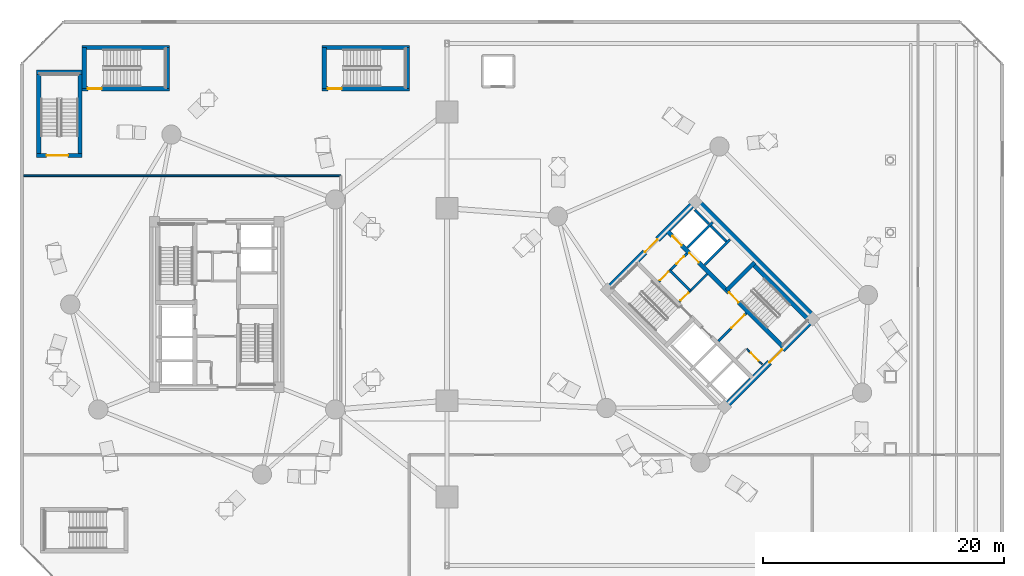
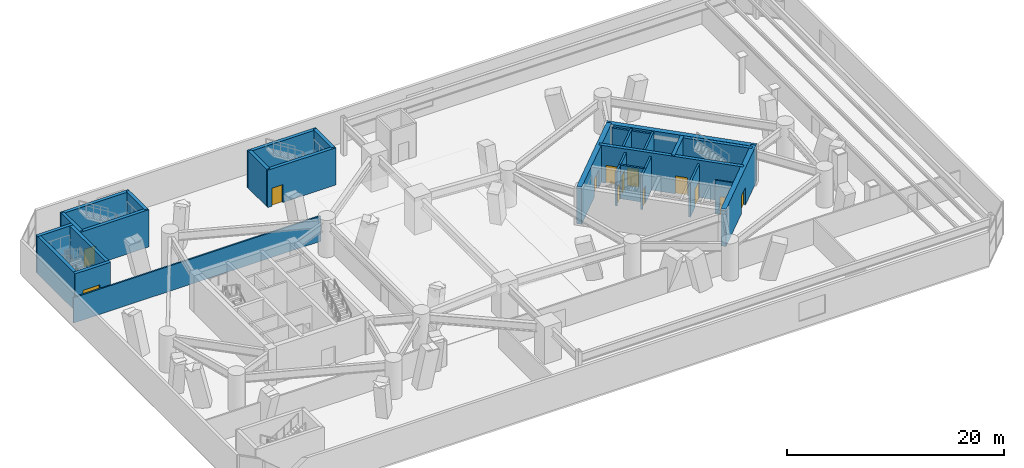
# One storey, part 13 of 20: 28 walls, 13 doors, 13 openings.
"""IFC4 building model written with IfcOpenShell, lengths in metres."""

from ifc_helpers import new_model, si_unit, direction, frame, frame_2d, origin, place, context, subcontext, project, spatial, rectangle, extrude, source, transform, mapped, material, layer, layer_set, type_object, element, fill, save


model = new_model("IFC4")

# Units and contexts
model_context = context("Model", 3, precision=1e-05, world=origin(), true_north=direction((0.0, 1.0)))
body_context = subcontext(model_context, "Body", "Model", "MODEL_VIEW")
ifc_project = project(units=[si_unit("LENGTHUNIT", "METRE"), si_unit("AREAUNIT", "SQUARE_METRE"), si_unit("VOLUMEUNIT", "CUBIC_METRE"), si_unit("PLANEANGLEUNIT", "RADIAN"), si_unit("MASSUNIT", "GRAM", prefix="KILO")], contexts=[model_context])

# Site, building, storey
site_placement = place(None, origin())
site = spatial("IfcSite", under=ifc_project, at=site_placement, CompositionType="ELEMENT")
building_placement = place(site_placement, origin())
building = spatial("IfcBuilding", under=site, at=building_placement, Name="Cununo Teusaquillo Station Towers", CompositionType="ELEMENT")
storey_placement = place(building_placement, frame((0.0, 0.0, 13.199951171875)))
storey = spatial("IfcBuildingStorey", under=building, at=storey_placement, Name="L03", CompositionType="ELEMENT", Elevation=13.199951171875)

# Walls
ifc_material_1 = material(Name="Concrete C50/60", Category="concrete")
ifc_layer_1 = layer(ifc_material_1, 0.199951171875)
ifc_layer_set_1 = layer_set([ifc_layer_1], Name="Concrete C50/60")
wall_type_1 = type_object("IfcWallType", Name="WL-CORE-200", PredefinedType="SHEAR", material=ifc_layer_set_1)
wall_1_placement = place(storey_placement, frame((57.0615234375, 27.781005859375, 0.0), z_axis=(0.0, 0.0, 1.0), x_axis=(0.707106781187, 0.707106781187, 0.0)))
element("IfcWall", 1, at=wall_1_placement, inside=storey, type_object=wall_type_1, Name="L03 Tower B Low-Rise Lift Hoistway South Shear Wall", PredefinedType="SHEAR", context=body_context, shape_type="SweptSolid", body=[
    extrude(rectangle(XDim=2.969970703125, YDim=0.199951171875, at=frame_2d((1.48486328125, 0.0))), origin(), (0.0, 0.0, 1.0), 4.199951171875),
])
wall_2_placement = place(storey_placement, frame((55.615478515625, 29.22705078125, 0.0), z_axis=(0.0, 0.0, 1.0), x_axis=(0.707147878904, 0.70706568108, 0.0)))
element("IfcWall", 2, at=wall_2_placement, inside=storey, type_object=wall_type_1, Name="L03 Tower B Low-Rise Lift Hoistway Divider Shear Wall", PredefinedType="SHEAR", context=body_context, shape_type="SweptSolid", body=[
    extrude(rectangle(XDim=2.97021484375, YDim=0.199951171875, at=frame_2d((1.485107421875, 0.0))), origin(), (0.0, 0.0, 1.0), 4.199951171875),
])
wall_3_placement = place(storey_placement, frame((58.86474609375, 29.75390625, 0.0), z_axis=(0.0, 0.0, 1.0), x_axis=(-0.707174411312, 0.707039144592, 0.0)))
element("IfcWall", 3, at=wall_3_placement, inside=storey, type_object=wall_type_1, Name="L03 Tower B Low-Rise Lift 1 Shaft Rear Shear Wall", PredefinedType="SHEAR", context=body_context, shape_type="SweptSolid", body=[
    extrude(rectangle(XDim=1.804931640625, YDim=0.199951171875, at=frame_2d((0.90234375, 0.0))), origin(), (0.0, 0.0, 1.0), 4.199951171875),
])
wall_4_placement = place(storey_placement, frame((57.418701171875, 31.19970703125, 0.0), z_axis=(0.0, 0.0, 1.0), x_axis=(-0.707032117043, 0.707181437447, 0.0)))
element("IfcWall", 4, at=wall_4_placement, inside=storey, type_object=wall_type_1, Name="L03 Tower B Low-Rise Lift 2 Shaft Rear Shear Wall", PredefinedType="SHEAR", context=body_context, shape_type="SweptSolid", body=[
    extrude(rectangle(XDim=1.635009765625, YDim=0.199951171875, at=frame_2d((0.8173828125, 0.0))), origin(), (0.0, 0.0, 1.0), 4.199951171875),
])

# Wall, opening, door
ifc_material_2 = material(Name="Concrete C50/60", Category="concrete")
ifc_layer_2 = layer(ifc_material_2, 0.35009765625)
ifc_layer_set_2 = layer_set([ifc_layer_2], Name="Concrete C50/60")
wall_type_2 = type_object("IfcWallType", Name="WL-CORE-350", PredefinedType="SHEAR", material=ifc_layer_set_2)
wall_5_placement = place(storey_placement, frame((25.260009765625, 42.43505859375, 0.0), z_axis=(0.0, 0.0, 1.0), x_axis=(1.0, 0.0, 0.0)))
wall_5 = element("IfcWall", 5, at=wall_5_placement, inside=storey, type_object=wall_type_2, Name="L03 Podium North Exit Stair Concrete Shaft Wall S", PredefinedType="SHEAR", context=body_context, shape_type="SweptSolid", body=[
    extrude(rectangle(XDim=7.280029296875, YDim=0.35009765625, at=frame_2d((3.64013671875, 0.0))), origin(), (0.0, 0.0, 1.0), 4.199951171875),
])
shared_shape_1 = source(origin(), body_context, "Body", "SweptSolid", [
    extrude(rectangle(XDim=1.14990234375, YDim=2.02001953125, at=frame_2d((0.574951171875, 1.010009765625))), frame((0.0, 0.18505859375, 0.0), z_axis=(0.0, -1.0, 0.0), x_axis=(1.0, 0.0, 0.0)), (0.0, 0.0, 1.0), 0.3701171875),
])
opening_1_placement = place(wall_5_placement, frame((0.47998046875, 0.0, 0.0)))
opening_1 = element("IfcOpeningElement", 6, at=opening_1_placement, cuts=wall_5, Name="Opening D-ST1", PredefinedType="OPENING", context=body_context, shape_type="MappedRepresentation", body=[
    mapped(shared_shape_1, transform((0.0, 0.0, 0.0), x_axis=(1.0, 0.0, 0.0), y_axis=(0.0, 1.0, 0.0), z_axis=(0.0, 0.0, 1.0), scale=1.0)),
])
ifc_material_3 = material(Name="Galvanised fire-rated hollow steel door assembly", Category="steel")
door_type_1 = type_object("IfcDoorType", Name="DR-STAIR-1150", OperationType="NOTDEFINED", PredefinedType="DOOR", material=ifc_material_3)
shared_shape_2 = source(origin(), body_context, "Body", "SweptSolid", [
    extrude(rectangle(XDim=1.14990234375, YDim=2.02001953125, at=frame_2d((0.574951171875, 1.010009765625))), frame((0.0, 0.02490234375, 0.0), z_axis=(0.0, -1.0, 0.0), x_axis=(1.0, 0.0, 0.0)), (0.0, 0.0, 1.0), 0.050048828125),
])
door_1_placement = place(opening_1_placement, origin())
door_1 = element("IfcDoor", 7, at=door_1_placement, inside=storey, type_object=door_type_1, Name="L03 North Podium Exit Stair Door", OperationType="SINGLE_SWING_LEFT", OverallHeight=2.02001953125, OverallWidth=1.14990234375, PredefinedType="DOOR", context=body_context, shape_type="MappedRepresentation", body=[
    mapped(shared_shape_2, transform((0.0, 0.0, 0.0), x_axis=(1.0, 0.0, 0.0), y_axis=(0.0, 1.0, 0.0), z_axis=(0.0, 0.0, 1.0), scale=1.0)),
])
fill(opening_1, door_1)

# Walls
wall_6_placement = place(storey_placement, frame((25.260009765625, 45.864990234375, 0.0), z_axis=(0.0, 0.0, 1.0), x_axis=(1.0, 0.0, 0.0)))
element("IfcWall", 8, at=wall_6_placement, inside=storey, type_object=wall_type_2, Name="L03 Podium North Exit Stair Concrete Shaft Wall N", PredefinedType="SHEAR", context=body_context, shape_type="SweptSolid", body=[
    extrude(rectangle(XDim=7.280029296875, YDim=0.35009765625, at=frame_2d((3.64013671875, 0.0))), origin(), (0.0, 0.0, 1.0), 4.199951171875),
])
for number, where, z_axis, x_axis, name in (
    (9, (25.43505859375, 42.43505859375, 0.0), (0.0, 0.0, 1.0), (0.0, 1.0, 0.0), "L03 Podium North Exit Stair Concrete Shaft Wall W"),
    (10, (32.364990234375, 42.43505859375, 0.0), (0.0, 0.0, 1.0), (0.0, 1.0, 0.0), "L03 Podium North Exit Stair Concrete Shaft Wall E"),
):
    element("IfcWall", number, at=place(storey_placement, frame(where, z_axis=z_axis, x_axis=x_axis)), inside=storey, type_object=wall_type_2, Name=name, PredefinedType="SHEAR", context=body_context, shape_type="SweptSolid", body=[
        extrude(rectangle(XDim=3.429931640625, YDim=0.35009765625, at=frame_2d((1.71484375, 0.0))), origin(), (0.0, 0.0, 1.0), 4.199951171875),
    ])

# Wall, opening, door
wall_7_placement = place(storey_placement, frame((1.5400390625, 36.885009765625, 0.0), z_axis=(0.0, 0.0, 1.0), x_axis=(1.0, 0.0, 0.0)))
wall_7 = element("IfcWall", 11, at=wall_7_placement, inside=storey, type_object=wall_type_2, Name="L03 Podium West Exit Stair Concrete Shaft Wall S", PredefinedType="SHEAR", context=body_context, shape_type="SweptSolid", body=[
    extrude(rectangle(XDim=3.780029296875, YDim=0.35009765625, at=frame_2d((1.89013671875, 0.0))), origin(), (0.0, 0.0, 1.0), 4.199951171875),
])
shared_shape_3 = source(origin(), body_context, "Body", "SweptSolid", [
    extrude(rectangle(XDim=1.800048828125, YDim=2.050048828125, at=frame_2d((0.89990234375, 1.02490234375))), frame((0.0, 0.18505859375, 0.0), z_axis=(0.0, -1.0, 0.0), x_axis=(1.0, 0.0, 0.0)), (0.0, 0.0, 1.0), 0.3701171875),
])
opening_2_placement = place(wall_7_placement, frame((0.81494140625, 0.0, 0.0)))
opening_2 = element("IfcOpeningElement", 12, at=opening_2_placement, cuts=wall_7, Name="Opening D-BG1", PredefinedType="OPENING", context=body_context, shape_type="MappedRepresentation", body=[
    mapped(shared_shape_3, transform((0.0, 0.0, 0.0), x_axis=(1.0, 0.0, 0.0), y_axis=(0.0, 1.0, 0.0), z_axis=(0.0, 0.0, 1.0), scale=1.0)),
])
ifc_material_4 = material(Name="Galvanised fire-rated hollow steel door assembly", Category="steel")
door_type_2 = type_object("IfcDoorType", Name="DR-BRIDGE-1800", OperationType="DOUBLE_DOOR_SINGLE_SWING", PredefinedType="DOOR", material=ifc_material_4)
shared_shape_4 = source(origin(), body_context, "Body", "SweptSolid", [
    extrude(rectangle(XDim=1.800048828125, YDim=2.050048828125, at=frame_2d((0.89990234375, 1.02490234375))), frame((0.0, 0.02490234375, 0.0), z_axis=(0.0, -1.0, 0.0), x_axis=(1.0, 0.0, 0.0)), (0.0, 0.0, 1.0), 0.050048828125),
])
door_2_placement = place(opening_2_placement, origin())
door_2 = element("IfcDoor", 13, at=door_2_placement, inside=storey, type_object=door_type_2, Name="L03 West Podium Exit Stair Door", OperationType="DOUBLE_DOOR_SINGLE_SWING", OverallHeight=2.050048828125, OverallWidth=1.800048828125, PredefinedType="DOOR", context=body_context, shape_type="MappedRepresentation", body=[
    mapped(shared_shape_4, transform((0.0, 0.0, 0.0), x_axis=(1.0, 0.0, 0.0), y_axis=(0.0, 1.0, 0.0), z_axis=(0.0, 0.0, 1.0), scale=1.0)),
])
fill(opening_2, door_2)

# Walls
wall_8_placement = place(storey_placement, frame((1.5400390625, 43.81494140625, 0.0), z_axis=(0.0, 0.0, 1.0), x_axis=(1.0, 0.0, 0.0)))
element("IfcWall", 14, at=wall_8_placement, inside=storey, type_object=wall_type_2, Name="L03 Podium West Exit Stair Concrete Shaft Wall N", PredefinedType="SHEAR", context=body_context, shape_type="SweptSolid", body=[
    extrude(rectangle(XDim=3.780029296875, YDim=0.35009765625, at=frame_2d((1.89013671875, 0.0))), origin(), (0.0, 0.0, 1.0), 4.199951171875),
])
for number, where, z_axis, x_axis, name in (
    (15, (1.715087890625, 36.885009765625, 0.0), (0.0, 0.0, 1.0), (0.0, 1.0, 0.0), "L03 Podium West Exit Stair Concrete Shaft Wall W"),
    (16, (5.14501953125, 36.885009765625, 0.0), (0.0, 0.0, 1.0), (0.0, 1.0, 0.0), "L03 Podium West Exit Stair Concrete Shaft Wall E"),
):
    element("IfcWall", number, at=place(storey_placement, frame(where, z_axis=z_axis, x_axis=x_axis)), inside=storey, type_object=wall_type_2, Name=name, PredefinedType="SHEAR", context=body_context, shape_type="SweptSolid", body=[
        extrude(rectangle(XDim=6.929931640625, YDim=0.35009765625, at=frame_2d((3.46484375, 0.0))), origin(), (0.0, 0.0, 1.0), 4.199951171875),
    ])

# Wall, opening, door
wall_9_placement = place(storey_placement, frame((5.31005859375, 42.43505859375, 0.0), z_axis=(0.0, 0.0, 1.0), x_axis=(1.0, 0.0, 0.0)))
wall_9 = element("IfcWall", 17, at=wall_9_placement, inside=storey, type_object=wall_type_2, Name="L03 Podium North-West Exit Stair Concrete Shaft Wall S", PredefinedType="SHEAR", context=body_context, shape_type="SweptSolid", body=[
    extrude(rectangle(XDim=7.280029296875, YDim=0.35009765625, at=frame_2d((3.64013671875, 0.0))), origin(), (0.0, 0.0, 1.0), 4.199951171875),
])
opening_3_placement = place(wall_9_placement, frame((0.47998046875, 0.0, 0.0)))
opening_3 = element("IfcOpeningElement", 18, at=opening_3_placement, cuts=wall_9, Name="Opening D-ST1", PredefinedType="OPENING", context=body_context, shape_type="MappedRepresentation", body=[
    mapped(shared_shape_1, transform((0.0, 0.0, 0.0), x_axis=(1.0, 0.0, 0.0), y_axis=(0.0, 1.0, 0.0), z_axis=(0.0, 0.0, 1.0), scale=1.0)),
])
door_3_placement = place(opening_3_placement, origin())
door_3 = element("IfcDoor", 19, at=door_3_placement, inside=storey, type_object=door_type_1, Name="L03 North-West Podium Exit Stair Door", OperationType="SINGLE_SWING_LEFT", OverallHeight=2.02001953125, OverallWidth=1.14990234375, PredefinedType="DOOR", context=body_context, shape_type="MappedRepresentation", body=[
    mapped(shared_shape_2, transform((0.0, 0.0, 0.0), x_axis=(1.0, 0.0, 0.0), y_axis=(0.0, 1.0, 0.0), z_axis=(0.0, 0.0, 1.0), scale=1.0)),
])
fill(opening_3, door_3)

# Walls
wall_10_placement = place(storey_placement, frame((5.31005859375, 45.864990234375, 0.0), z_axis=(0.0, 0.0, 1.0), x_axis=(1.0, 0.0, 0.0)))
element("IfcWall", 20, at=wall_10_placement, inside=storey, type_object=wall_type_2, Name="L03 Podium North-West Exit Stair Concrete Shaft Wall N", PredefinedType="SHEAR", context=body_context, shape_type="SweptSolid", body=[
    extrude(rectangle(XDim=7.280029296875, YDim=0.35009765625, at=frame_2d((3.64013671875, 0.0))), origin(), (0.0, 0.0, 1.0), 4.199951171875),
])
for number, where, z_axis, x_axis, name in (
    (21, (5.485107421875, 42.43505859375, 0.0), (0.0, 0.0, 1.0), (0.0, 1.0, 0.0), "L03 Podium North-West Exit Stair Concrete Shaft Wall W"),
    (22, (12.4150390625, 42.43505859375, 0.0), (0.0, 0.0, 1.0), (0.0, 1.0, 0.0), "L03 Podium North-West Exit Stair Concrete Shaft Wall E"),
):
    element("IfcWall", number, at=place(storey_placement, frame(where, z_axis=z_axis, x_axis=x_axis)), inside=storey, type_object=wall_type_2, Name=name, PredefinedType="SHEAR", context=body_context, shape_type="SweptSolid", body=[
        extrude(rectangle(XDim=3.429931640625, YDim=0.35009765625, at=frame_2d((1.71484375, 0.0))), origin(), (0.0, 0.0, 1.0), 4.199951171875),
    ])

# Wall, openings, doors
wall_11_placement = place(storey_placement, frame((63.662353515625, 20.904296875, 0.0), z_axis=(0.0, 0.0, 1.0), x_axis=(-0.707106781187, 0.707106781187, 0.0)))
wall_11 = element("IfcWall", 23, at=wall_11_placement, inside=storey, type_object=wall_type_2, Name="L03 Tower B Core Shear Wall IE", PredefinedType="SHEAR", context=body_context, shape_type="SweptSolid", body=[
    extrude(rectangle(XDim=13.800048828125, YDim=0.35009765625, at=frame_2d((6.89990234375, 0.0))), origin(), (0.0, 0.0, 1.0), 4.199951171875),
])
shared_shape_5 = source(origin(), body_context, "Body", "SweptSolid", [
    extrude(rectangle(XDim=1.10009765625, YDim=2.014892578125, at=frame_2d((0.550048828125, 1.00732421875))), frame((0.0, 0.18505859375, 0.0), z_axis=(0.0, -1.0, 0.0), x_axis=(1.0, 0.0, 0.0)), (0.0, 0.0, 1.0), 0.3701171875),
])
opening_4_placement = place(wall_11_placement, frame((10.02490234375, 0.0, 0.0)))
opening_4 = element("IfcOpeningElement", 24, at=opening_4_placement, cuts=wall_11, Name="Opening LD-01", PredefinedType="OPENING", context=body_context, shape_type="MappedRepresentation", body=[
    mapped(shared_shape_5, transform((0.0, 0.0, 0.0), x_axis=(1.0, 0.0, 0.0), y_axis=(0.0, 1.0, 0.0), z_axis=(0.0, 0.0, 1.0), scale=1.0)),
])
opening_5_placement = place(wall_11_placement, frame((12.02490234375, 0.0, 0.0)))
opening_5 = element("IfcOpeningElement", 25, at=opening_5_placement, cuts=wall_11, Name="Opening LD-01", PredefinedType="OPENING", context=body_context, shape_type="MappedRepresentation", body=[
    mapped(shared_shape_5, transform((0.0, 0.0, 0.0), x_axis=(1.0, 0.0, 0.0), y_axis=(0.0, 1.0, 0.0), z_axis=(0.0, 0.0, 1.0), scale=1.0)),
])
opening_6_placement = place(wall_11_placement, frame((5.330078125, 0.0, 0.0)))
opening_6 = element("IfcOpeningElement", 26, at=opening_6_placement, cuts=wall_11, Name="Opening D-ST1", PredefinedType="OPENING", context=body_context, shape_type="MappedRepresentation", body=[
    mapped(shared_shape_1, transform((0.0, 0.0, 0.0), x_axis=(1.0, 0.0, 0.0), y_axis=(0.0, 1.0, 0.0), z_axis=(0.0, 0.0, 1.0), scale=1.0)),
])
ifc_material_5 = material(Name="Galvanised fire-rated hollow steel door assembly", Category="steel")
door_type_3 = type_object("IfcDoorType", Name="DR-LIFT-1100", OperationType="SLIDING_TO_LEFT", PredefinedType="DOOR", material=ifc_material_5)
shared_shape_6 = source(origin(), body_context, "Body", "SweptSolid", [
    extrude(rectangle(XDim=1.10009765625, YDim=2.014892578125, at=frame_2d((0.550048828125, 1.00732421875))), frame((0.0, 0.02490234375, 0.0), z_axis=(0.0, -1.0, 0.0), x_axis=(1.0, 0.0, 0.0)), (0.0, 0.0, 1.0), 0.050048828125),
])
door_4_placement = place(opening_4_placement, origin())
door_4 = element("IfcDoor", 27, at=door_4_placement, inside=storey, type_object=door_type_3, Name="L03 Lift PL-T2-L1 Sliding Landing Door", OperationType="SLIDING_TO_RIGHT", OverallHeight=2.014892578125, OverallWidth=1.10009765625, PredefinedType="DOOR", context=body_context, shape_type="MappedRepresentation", body=[
    mapped(shared_shape_6, transform((0.0, 0.0, 0.0), x_axis=(1.0, 0.0, 0.0), y_axis=(0.0, 1.0, 0.0), z_axis=(0.0, 0.0, 1.0), scale=1.0)),
])
fill(opening_4, door_4)
door_5_placement = place(opening_5_placement, origin())
door_5 = element("IfcDoor", 28, at=door_5_placement, inside=storey, type_object=door_type_3, Name="L03 Lift PL-T2-L2 Sliding Landing Door", OperationType="SLIDING_TO_LEFT", OverallHeight=2.014892578125, OverallWidth=1.10009765625, PredefinedType="DOOR", context=body_context, shape_type="MappedRepresentation", body=[
    mapped(shared_shape_6, transform((0.0, 0.0, 0.0), x_axis=(1.0, 0.0, 0.0), y_axis=(0.0, 1.0, 0.0), z_axis=(0.0, 0.0, 1.0), scale=1.0)),
])
fill(opening_5, door_5)
door_6_placement = place(opening_6_placement, origin())
door_6 = element("IfcDoor", 29, at=door_6_placement, inside=storey, type_object=door_type_1, Name="L03 Tower B Exit Stair 2 Fire Door", OperationType="SINGLE_SWING_RIGHT", OverallHeight=2.02001953125, OverallWidth=1.14990234375, PredefinedType="DOOR", context=body_context, shape_type="MappedRepresentation", body=[
    mapped(shared_shape_2, transform((0.0, 0.0, 0.0), x_axis=(1.0, 0.0, 0.0), y_axis=(0.0, 1.0, 0.0), z_axis=(0.0, 0.0, 1.0), scale=1.0)),
])
fill(opening_6, door_6)

# Walls
wall_12_placement = place(storey_placement, frame((65.847412109375, 23.08935546875, 0.0), z_axis=(0.0, 0.0, 1.0), x_axis=(-0.707106781187, 0.707106781187, 0.0)))
element("IfcWall", 30, at=wall_12_placement, inside=storey, type_object=wall_type_2, Name="L03 Tower B Core Shear Wall ST2E", PredefinedType="SHEAR", context=body_context, shape_type="SweptSolid", body=[
    extrude(rectangle(XDim=6.7451171875, YDim=0.35009765625, at=frame_2d((3.37255859375, 0.0))), origin(), (0.0, 0.0, 1.0), 4.199951171875),
])
wall_13_placement = place(storey_placement, frame((58.89306640625, 25.673828125, 0.0), z_axis=(0.0, 0.0, 1.0), x_axis=(0.707106781187, 0.707106781187, 0.0)))
element("IfcWall", 31, at=wall_13_placement, inside=storey, type_object=wall_type_2, Name="L03 Tower B Core Shear Wall ST2N", PredefinedType="SHEAR", context=body_context, shape_type="SweptSolid", body=[
    extrude(rectangle(XDim=3.284912109375, YDim=0.35009765625, at=frame_2d((1.642578125, 0.0))), origin(), (0.0, 0.0, 1.0), 4.199951171875),
])
ifc_material_6 = material(Name="Concrete C60/75", Category="concrete")
ifc_layer_3 = layer(ifc_material_6, 0.5)
ifc_layer_set_3 = layer_set([ifc_layer_3], Name="Concrete C60/75")
wall_type_3 = type_object("IfcWallType", Name="WL-CORE-500", PredefinedType="SHEAR", material=ifc_layer_set_3)
wall_14_placement = place(storey_placement, frame((66.3388671875, 23.227294921875, 0.0), z_axis=(0.0, 0.0, 1.0), x_axis=(-0.707106781187, 0.707106781187, 0.0)))
element("IfcWall", 32, at=wall_14_placement, inside=storey, type_object=wall_type_3, Name="L03 Tower B Core Shear Wall E", PredefinedType="SHEAR", context=body_context, shape_type="SweptSolid", body=[
    extrude(rectangle(XDim=14.2998046875, YDim=0.5, at=frame_2d((7.14990234375, 0.0))), origin(), (0.0, 0.0, 1.0), 4.199951171875),
])

# Wall, opening, door
wall_15_placement = place(storey_placement, frame((58.595947265625, 15.837890625, 0.0), z_axis=(0.0, 0.0, 1.0), x_axis=(0.707106781187, 0.707106781187, 0.0)))
wall_15 = element("IfcWall", 33, at=wall_15_placement, inside=storey, type_object=wall_type_3, Name="L03 Tower B Core Shear Wall S", PredefinedType="SHEAR", context=body_context, shape_type="SweptSolid", body=[
    extrude(rectangle(XDim=10.7001953125, YDim=0.5, at=frame_2d((5.35009765625, 0.0))), origin(), (0.0, 0.0, 1.0), 4.199951171875),
])
shared_shape_7 = source(origin(), body_context, "Body", "SweptSolid", [
    extrude(rectangle(XDim=1.5, YDim=2.02001953125, at=frame_2d((0.75, 1.010009765625))), frame((0.0, 0.260009765625, 0.0), z_axis=(0.0, -1.0, 0.0), x_axis=(1.0, 0.0, 0.0)), (0.0, 0.0, 1.0), 0.52001953125),
])
opening_7_placement = place(wall_15_placement, frame((5.449951171875, 0.0, 0.0)))
opening_7 = element("IfcOpeningElement", 34, at=opening_7_placement, cuts=wall_15, Name="Opening D-LB1", PredefinedType="OPENING", context=body_context, shape_type="MappedRepresentation", body=[
    mapped(shared_shape_7, transform((0.0, 0.0, 0.0), x_axis=(1.0, 0.0, 0.0), y_axis=(0.0, 1.0, 0.0), z_axis=(0.0, 0.0, 1.0), scale=1.0)),
])
ifc_material_7 = material(Name="Galvanised fire-rated hollow steel door assembly", Category="steel")
door_type_4 = type_object("IfcDoorType", Name="DR-LOBBY-1500", OperationType="DOUBLE_DOOR_SINGLE_SWING", PredefinedType="DOOR", material=ifc_material_7)
shared_shape_8 = source(origin(), body_context, "Body", "SweptSolid", [
    extrude(rectangle(XDim=1.5, YDim=2.02001953125, at=frame_2d((0.75, 1.010009765625))), frame((0.0, 0.02490234375, 0.0), z_axis=(0.0, -1.0, 0.0), x_axis=(1.0, 0.0, 0.0)), (0.0, 0.0, 1.0), 0.050048828125),
])
door_7_placement = place(opening_7_placement, origin())
door_7 = element("IfcDoor", 35, at=door_7_placement, inside=storey, type_object=door_type_4, Name="L03 Tower B South Core Lift Lobby Door", OperationType="DOUBLE_DOOR_SINGLE_SWING", OverallHeight=2.02001953125, OverallWidth=1.5, PredefinedType="DOOR", context=body_context, shape_type="MappedRepresentation", body=[
    mapped(shared_shape_8, transform((0.0, 0.0, 0.0), x_axis=(1.0, 0.0, 0.0), y_axis=(0.0, 1.0, 0.0), z_axis=(0.0, 0.0, 1.0), scale=1.0)),
])
fill(opening_7, door_7)

wall_16_placement = place(storey_placement, frame((48.837890625, 25.595947265625, 0.0), z_axis=(0.0, 0.0, 1.0), x_axis=(0.707106781187, 0.707106781187, 0.0)))
wall_16 = element("IfcWall", 36, at=wall_16_placement, inside=storey, type_object=wall_type_3, Name="L03 Tower B Core Shear Wall N", PredefinedType="SHEAR", context=body_context, shape_type="SweptSolid", body=[
    extrude(rectangle(XDim=10.7001953125, YDim=0.5, at=frame_2d((5.35009765625, 0.0))), origin(), (0.0, 0.0, 1.0), 4.199951171875),
])
opening_8_placement = place(wall_16_placement, frame((4.60009765625, 0.0, 0.0)))
opening_8 = element("IfcOpeningElement", 37, at=opening_8_placement, cuts=wall_16, Name="Opening D-LB1", PredefinedType="OPENING", context=body_context, shape_type="MappedRepresentation", body=[
    mapped(shared_shape_7, transform((0.0, 0.0, 0.0), x_axis=(1.0, 0.0, 0.0), y_axis=(0.0, 1.0, 0.0), z_axis=(0.0, 0.0, 1.0), scale=1.0)),
])
door_8_placement = place(opening_8_placement, origin())
door_8 = element("IfcDoor", 38, at=door_8_placement, inside=storey, type_object=door_type_4, Name="L03 Tower B North Core Lift Lobby Door", OperationType="DOUBLE_DOOR_SINGLE_SWING", OverallHeight=2.02001953125, OverallWidth=1.5, PredefinedType="DOOR", context=body_context, shape_type="MappedRepresentation", body=[
    mapped(shared_shape_8, transform((0.0, 0.0, 0.0), x_axis=(1.0, 0.0, 0.0), y_axis=(0.0, 1.0, 0.0), z_axis=(0.0, 0.0, 1.0), scale=1.0)),
])
fill(opening_8, door_8)

ifc_material_8 = material(Name="Fire-rated gypsum plasterboard partition assembly", Category="gypsum")
ifc_layer_4 = layer(ifc_material_8, 0.125)
ifc_layer_set_4 = layer_set([ifc_layer_4], Name="Fire-rated gypsum plasterboard partition assembly")
wall_type_4 = type_object("IfcWallType", Name="WL-PART-125", PredefinedType="PARTITIONING", material=ifc_layer_set_4)
wall_17_placement = place(storey_placement, frame((61.834716796875, 19.529052734375, 0.0), z_axis=(0.0, 0.0, 1.0), x_axis=(-0.707174592913, 0.707038962956, 0.0)))
wall_17 = element("IfcWall", 39, at=wall_17_placement, inside=storey, type_object=wall_type_4, Name="L03 Tower B South-West Compact Store East Wall", PredefinedType="PARTITIONING", context=body_context, shape_type="SweptSolid", body=[
    extrude(rectangle(XDim=1.800048828125, YDim=0.125, at=frame_2d((0.89990234375, 0.0))), origin(), (0.0, 0.0, 1.0), 3.800048828125),
])
shared_shape_9 = source(origin(), body_context, "Body", "SweptSolid", [
    extrude(rectangle(XDim=0.89990234375, YDim=2.0048828125, at=frame_2d((0.449951171875, 1.00244140625))), frame((0.0, 0.072509765625, 0.0), z_axis=(0.0, -1.0, 0.0), x_axis=(1.0, 0.0, 0.0)), (0.0, 0.0, 1.0), 0.14501953125),
])
opening_9_placement = place(wall_17_placement, frame((0.419921875, 0.0, 0.0)))
opening_9 = element("IfcOpeningElement", 40, at=opening_9_placement, cuts=wall_17, Name="Opening D-SR1", PredefinedType="OPENING", context=body_context, shape_type="MappedRepresentation", body=[
    mapped(shared_shape_9, transform((0.0, 0.0, 0.0), x_axis=(1.0, 0.0, 0.0), y_axis=(0.0, 1.0, 0.0), z_axis=(0.0, 0.0, 1.0), scale=1.0)),
])
ifc_material_9 = material(Name="Galvanised fire-rated hollow steel door assembly", Category="steel")
door_type_5 = type_object("IfcDoorType", Name="DR-STORE-900", OperationType="NOTDEFINED", PredefinedType="DOOR", material=ifc_material_9)
shared_shape_10 = source(origin(), body_context, "Body", "SweptSolid", [
    extrude(rectangle(XDim=0.89990234375, YDim=2.0048828125, at=frame_2d((0.449951171875, 1.00244140625))), frame((0.0, 0.02490234375, 0.0), z_axis=(0.0, -1.0, 0.0), x_axis=(1.0, 0.0, 0.0)), (0.0, 0.0, 1.0), 0.050048828125),
])
door_9_placement = place(opening_9_placement, origin())
door_9 = element("IfcDoor", 41, at=door_9_placement, inside=storey, type_object=door_type_5, Name="L03 Tower B Core Electrical & Comms Store Door", OperationType="SINGLE_SWING_LEFT", OverallHeight=2.0048828125, OverallWidth=0.89990234375, PredefinedType="DOOR", context=body_context, shape_type="MappedRepresentation", body=[
    mapped(shared_shape_10, transform((0.0, 0.0, 0.0), x_axis=(1.0, 0.0, 0.0), y_axis=(0.0, 1.0, 0.0), z_axis=(0.0, 0.0, 1.0), scale=1.0)),
])
fill(opening_9, door_9)

# Wall
ifc_material_10 = material(Name="Fire-rated gypsum plasterboard partition assembly", Category="gypsum")
ifc_layer_5 = layer(ifc_material_10, 0.159912109375)
ifc_layer_set_5 = layer_set([ifc_layer_5], Name="Fire-rated gypsum plasterboard partition assembly")
wall_type_5 = type_object("IfcWallType", Name="WL-PART-160", PredefinedType="PARTITIONING", material=ifc_layer_set_5)
wall_18_placement = place(storey_placement, frame((0.449951171875, 35.199951171875, 0.0), z_axis=(0.0, 0.0, 1.0), x_axis=(1.0, 0.0, 0.0)))
element("IfcWall", 42, at=wall_18_placement, inside=storey, type_object=wall_type_5, Name="L03 West Wing North Wall", PredefinedType="PARTITIONING", context=body_context, shape_type="SweptSolid", body=[
    extrude(rectangle(XDim=26.35009765625, YDim=0.159912109375, at=frame_2d((13.175048828125, 0.0))), origin(), (0.0, 0.0, 1.0), 2.843994140625),
])

# Wall, opening, door
ifc_material_11 = material(Name="Fire-rated gypsum plasterboard partition assembly", Category="gypsum")
ifc_layer_6 = layer(ifc_material_11, 0.199951171875)
ifc_layer_set_6 = layer_set([ifc_layer_6], Name="Fire-rated gypsum plasterboard partition assembly")
wall_type_6 = type_object("IfcWallType", Name="WL-PART-200", PredefinedType="PARTITIONING", material=ifc_layer_set_6)
wall_19_placement = place(storey_placement, frame((58.214111328125, 21.466552734375, 0.0), z_axis=(0.0, 0.0, 1.0), x_axis=(0.707106781187, 0.707106781187, 0.0)))
wall_19 = element("IfcWall", 43, at=wall_19_placement, inside=storey, type_object=wall_type_6, Name="L03 Tower B Firefighting Lift Lobby South Fire Wall", PredefinedType="PARTITIONING", context=body_context, shape_type="SweptSolid", body=[
    extrude(rectangle(XDim=3.280029296875, YDim=0.199951171875, at=frame_2d((1.64013671875, 0.0))), origin(), (0.0, 0.0, 1.0), 3.800048828125),
])
shared_shape_11 = source(origin(), body_context, "Body", "SweptSolid", [
    extrude(rectangle(XDim=1.5, YDim=2.02001953125, at=frame_2d((0.75, 1.010009765625))), frame((0.0, 0.10986328125, 0.0), z_axis=(0.0, -1.0, 0.0), x_axis=(1.0, 0.0, 0.0)), (0.0, 0.0, 1.0), 0.219970703125),
])
opening_10_placement = place(wall_19_placement, frame((1.550048828125, 0.0, 0.0)))
opening_10 = element("IfcOpeningElement", 44, at=opening_10_placement, cuts=wall_19, Name="Opening D-LB1", PredefinedType="OPENING", context=body_context, shape_type="MappedRepresentation", body=[
    mapped(shared_shape_11, transform((0.0, 0.0, 0.0), x_axis=(1.0, 0.0, 0.0), y_axis=(0.0, 1.0, 0.0), z_axis=(0.0, 0.0, 1.0), scale=1.0)),
])
door_10_placement = place(opening_10_placement, origin())
door_10 = element("IfcDoor", 45, at=door_10_placement, inside=storey, type_object=door_type_4, Name="L03 Tower B Firefighting Lift Lobby South Fire Door", OperationType="DOUBLE_DOOR_SINGLE_SWING", OverallHeight=2.02001953125, OverallWidth=1.5, PredefinedType="DOOR", context=body_context, shape_type="MappedRepresentation", body=[
    mapped(shared_shape_8, transform((0.0, 0.0, 0.0), x_axis=(1.0, 0.0, 0.0), y_axis=(0.0, 1.0, 0.0), z_axis=(0.0, 0.0, 1.0), scale=1.0)),
])
fill(opening_10, door_10)

wall_20_placement = place(storey_placement, frame((54.96142578125, 24.71923828125, 0.0), z_axis=(0.0, 0.0, 1.0), x_axis=(0.707106781187, 0.707106781187, 0.0)))
wall_20 = element("IfcWall", 46, at=wall_20_placement, inside=storey, type_object=wall_type_6, Name="L03 Tower B Firefighting Lift Lobby North Fire Wall", PredefinedType="PARTITIONING", context=body_context, shape_type="SweptSolid", body=[
    extrude(rectangle(XDim=3.280029296875, YDim=0.199951171875, at=frame_2d((1.64013671875, 0.0))), origin(), (0.0, 0.0, 1.0), 3.800048828125),
])
shared_shape_12 = source(origin(), body_context, "Body", "SweptSolid", [
    extrude(rectangle(XDim=0.89990234375, YDim=2.0048828125, at=frame_2d((0.449951171875, 1.00244140625))), frame((0.0, 0.10986328125, 0.0), z_axis=(0.0, -1.0, 0.0), x_axis=(1.0, 0.0, 0.0)), (0.0, 0.0, 1.0), 0.219970703125),
])
opening_11_placement = place(wall_20_placement, frame((0.159912109375, 0.0, 0.0)))
opening_11 = element("IfcOpeningElement", 47, at=opening_11_placement, cuts=wall_20, Name="Opening D-SR1", PredefinedType="OPENING", context=body_context, shape_type="MappedRepresentation", body=[
    mapped(shared_shape_12, transform((0.0, 0.0, 0.0), x_axis=(1.0, 0.0, 0.0), y_axis=(0.0, 1.0, 0.0), z_axis=(0.0, 0.0, 1.0), scale=1.0)),
])
door_11_placement = place(opening_11_placement, origin())
door_11 = element("IfcDoor", 48, at=door_11_placement, inside=storey, type_object=door_type_5, Name="L03 Tower B Stair 1 Protected Vestibule South Door", OperationType="SINGLE_SWING_LEFT", OverallHeight=2.0048828125, OverallWidth=0.89990234375, PredefinedType="DOOR", context=body_context, shape_type="MappedRepresentation", body=[
    mapped(shared_shape_10, transform((0.0, 0.0, 0.0), x_axis=(1.0, 0.0, 0.0), y_axis=(0.0, 1.0, 0.0), z_axis=(0.0, 0.0, 1.0), scale=1.0)),
])
fill(opening_11, door_11)

# Wall
wall_21_placement = place(storey_placement, frame((55.873779296875, 25.63134765625, 0.0), z_axis=(0.0, 0.0, 1.0), x_axis=(-0.707157639372, 0.707055919343, 0.0)))
element("IfcWall", 49, at=wall_21_placement, inside=storey, type_object=wall_type_6, Name="L03 Tower B Stair 1 Vestibule Partition Wall", PredefinedType="PARTITIONING", context=body_context, shape_type="SweptSolid", body=[
    extrude(rectangle(XDim=2.400146484375, YDim=0.199951171875, at=frame_2d((1.2001953125, 0.0))), origin(), (0.0, 0.0, 1.0), 3.800048828125),
])

# Wall, openings, doors
wall_22_placement = place(storey_placement, frame((53.264404296875, 26.416259765625, 0.0), z_axis=(0.0, 0.0, 1.0), x_axis=(0.707106781187, 0.707106781187, 0.0)))
wall_22 = element("IfcWall", 50, at=wall_22_placement, inside=storey, type_object=wall_type_6, Name="L03 Tower B North Lift Lobby South Fire Wall", PredefinedType="PARTITIONING", context=body_context, shape_type="SweptSolid", body=[
    extrude(rectangle(XDim=3.280029296875, YDim=0.199951171875, at=frame_2d((1.64013671875, 0.0))), origin(), (0.0, 0.0, 1.0), 3.800048828125),
])
shared_shape_13 = source(origin(), body_context, "Body", "SweptSolid", [
    extrude(rectangle(XDim=1.0, YDim=2.014892578125, at=frame_2d((0.5, 1.00732421875))), frame((0.0, 0.10986328125, 0.0), z_axis=(0.0, -1.0, 0.0), x_axis=(1.0, 0.0, 0.0)), (0.0, 0.0, 1.0), 0.219970703125),
])
opening_12_placement = place(wall_22_placement, frame((0.139892578125, 0.0, 0.0)))
opening_12 = element("IfcOpeningElement", 51, at=opening_12_placement, cuts=wall_22, Name="Opening D-AC1", PredefinedType="OPENING", context=body_context, shape_type="MappedRepresentation", body=[
    mapped(shared_shape_13, transform((0.0, 0.0, 0.0), x_axis=(1.0, 0.0, 0.0), y_axis=(0.0, 1.0, 0.0), z_axis=(0.0, 0.0, 1.0), scale=1.0)),
])
opening_13_placement = place(wall_22_placement, frame((2.050048828125, 0.0, 0.0)))
opening_13 = element("IfcOpeningElement", 52, at=opening_13_placement, cuts=wall_22, Name="Opening D-SR1", PredefinedType="OPENING", context=body_context, shape_type="MappedRepresentation", body=[
    mapped(shared_shape_12, transform((0.0, 0.0, 0.0), x_axis=(1.0, 0.0, 0.0), y_axis=(0.0, 1.0, 0.0), z_axis=(0.0, 0.0, 1.0), scale=1.0)),
])
door_12_placement = place(opening_13_placement, origin())
door_12 = element("IfcDoor", 53, at=door_12_placement, inside=storey, type_object=door_type_5, Name="L03 Tower B Core Housekeeping & Linen Store Door", OperationType="SINGLE_SWING_RIGHT", OverallHeight=2.0048828125, OverallWidth=0.89990234375, PredefinedType="DOOR", context=body_context, shape_type="MappedRepresentation", body=[
    mapped(shared_shape_10, transform((0.0, 0.0, 0.0), x_axis=(1.0, 0.0, 0.0), y_axis=(0.0, 1.0, 0.0), z_axis=(0.0, 0.0, 1.0), scale=1.0)),
])
fill(opening_13, door_12)
ifc_material_12 = material(Name="Acoustic solid-core hardwood leaf assembly", Category="wood")
door_type_6 = type_object("IfcDoorType", Name="DR-ACC-1000", OperationType="NOTDEFINED", PredefinedType="DOOR", material=ifc_material_12)
shared_shape_14 = source(origin(), body_context, "Body", "SweptSolid", [
    extrude(rectangle(XDim=1.0, YDim=2.014892578125, at=frame_2d((0.5, 1.00732421875))), frame((0.0, 0.02490234375, 0.0), z_axis=(0.0, -1.0, 0.0), x_axis=(1.0, 0.0, 0.0)), (0.0, 0.0, 1.0), 0.050048828125),
])
door_13_placement = place(opening_12_placement, origin())
door_13 = element("IfcDoor", 54, at=door_13_placement, inside=storey, type_object=door_type_6, Name="L03 Tower B North Lift Lobby to Stair 1 Vestibule Door", OperationType="SINGLE_SWING_RIGHT", OverallHeight=2.014892578125, OverallWidth=1.0, PredefinedType="DOOR", context=body_context, shape_type="MappedRepresentation", body=[
    mapped(shared_shape_14, transform((0.0, 0.0, 0.0), x_axis=(1.0, 0.0, 0.0), y_axis=(0.0, 1.0, 0.0), z_axis=(0.0, 0.0, 1.0), scale=1.0)),
])
fill(opening_12, door_13)

save(model, "model.ifc")
